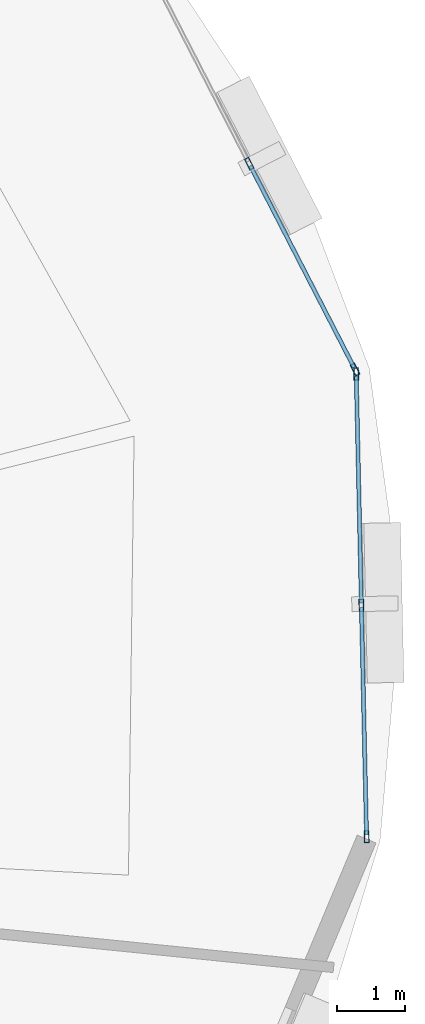
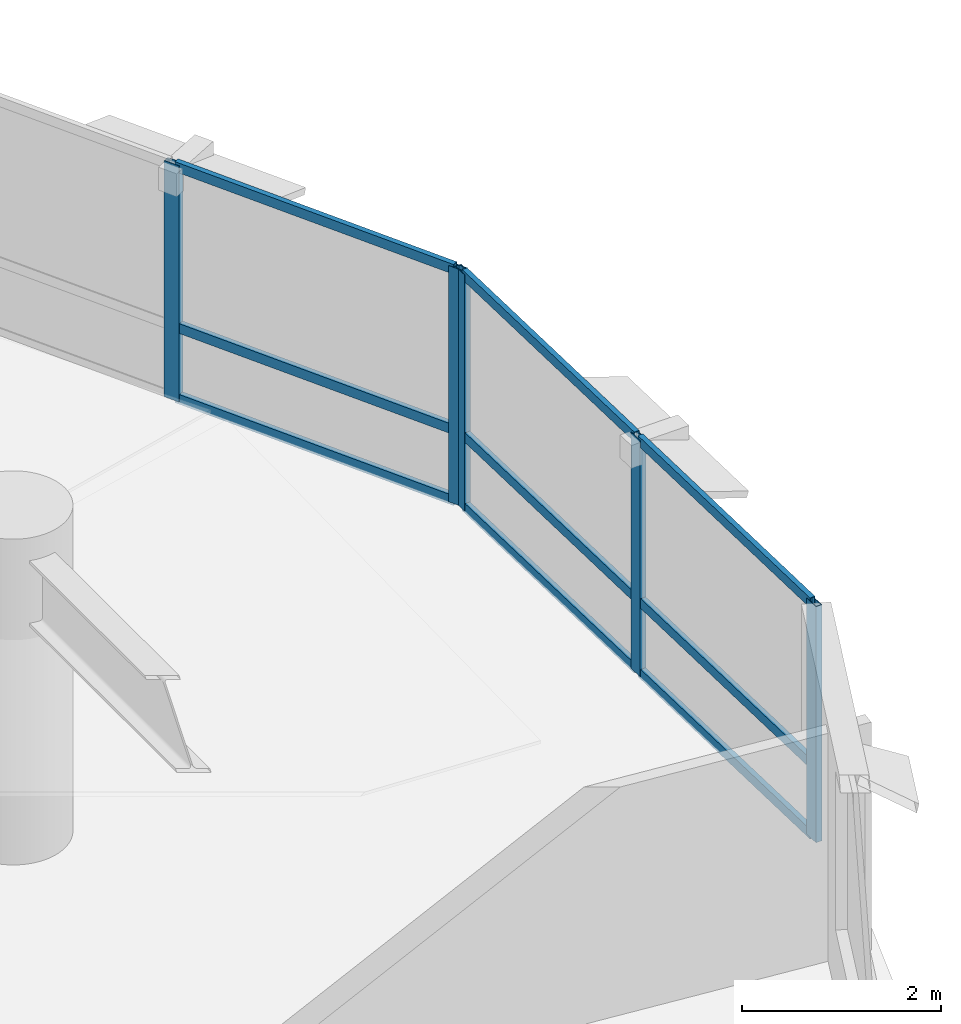
# One storey, part 6 of 15: 14 members, 2 elements without a shape of their own.
"""IFC4 building model written with IfcOpenShell, lengths in metres."""

from ifc_helpers import new_model, si_unit, direction, frame, origin, origin_2d, place, context, subcontext, project, spatial, hollow_rectangle, extrude, material, layer, layer_set, material_profile, profile_set, type_object, element, aggregate, save


model = new_model("IFC4")

# Units and contexts
model_context = context("Model", 3, precision=1e-05, world=origin(), true_north=direction((0.0, 1.0)))
body_context = subcontext(model_context, "Body", "Model", "MODEL_VIEW")
ifc_project = project(units=[si_unit("LENGTHUNIT", "METRE"), si_unit("AREAUNIT", "SQUARE_METRE"), si_unit("VOLUMEUNIT", "CUBIC_METRE"), si_unit("PLANEANGLEUNIT", "RADIAN"), si_unit("MASSUNIT", "GRAM", prefix="KILO"), si_unit("THERMODYNAMICTEMPERATUREUNIT", "KELVIN"), si_unit("POWERUNIT", "WATT")], contexts=[model_context])

# Site, building, storey
site_placement = place(None, origin())
site = spatial("IfcSite", under=ifc_project, at=site_placement, CompositionType="ELEMENT")
building_placement = place(site_placement, origin())
building = spatial("IfcBuilding", under=site, at=building_placement, Name="Ocrelia Relay Tower", CompositionType="ELEMENT")
storey_placement = place(building_placement, frame((0.0, 0.0, 93.800048828125)))
storey = spatial("IfcBuildingStorey", under=building, at=storey_placement, Name="L21", CompositionType="ELEMENT", Elevation=93.800048828125)

# Curtain wall, members
ifc_material_1 = material(Name="Aluminium and solar-control low-E glass", Category="aluminium")
ifc_layer = layer(ifc_material_1, 0.179931640625, Name="Aluminium and solar-control low-E glass")
ifc_layer_set = layer_set([ifc_layer], Name="Aluminium and solar-control low-E glass")
curtain_wall_type = type_object("IfcCurtainWallType", Name="CW-SYS-Z2-SWIT", PredefinedType="NOTDEFINED", material=ifc_layer_set)
curtain_wall_1_placement = place(storey_placement, origin())
curtain_wall_1 = element("IfcCurtainWall", 1, at=curtain_wall_1_placement, inside=storey, type_object=curtain_wall_type, Name="L21 Elliptical Tower Curtain Wall Bay 01", PredefinedType="NOTDEFINED")
ifc_material_2 = material(Name="Anodised bronze aluminium", Category="aluminium")
ifc_material_profile_1 = material_profile(ifc_material_2, hollow_rectangle(XDim=0.070068359375, YDim=0.179931640625, WallThickness=0.006103515625, at=origin_2d()), Name="CW-MUL-180x70")
ifc_profile_set_1 = profile_set([ifc_material_profile_1], Name="Anodised bronze aluminium")
member_type_1 = type_object("IfcMemberType", Name="CW-SYS-Z2-SWIT-MUL", PredefinedType="MULLION", material=ifc_profile_set_1)
member_1_placement = place(storey_placement, frame((58.79638671875, 32.33251953125, 0.0), z_axis=(0.0, 0.0, 1.0), x_axis=(-0.889260604042, -0.457400894292, 0.0)))
member_1 = element("IfcMember", 2, at=member_1_placement, type_object=member_type_1, Name="CW-Z2 mullion 1", PredefinedType="MULLION", context=body_context, shape_type="SweptSolid", body=[
    extrude(hollow_rectangle(XDim=0.070068359375, YDim=0.179931640625, WallThickness=0.006103515625, at=origin_2d()), origin(), (0.0, 0.0, 1.0), 2.89990234375),
])
member_2_placement = place(storey_placement, frame((57.239013671875, 35.360107421875, 0.0), z_axis=(0.0, 0.0, 1.0), x_axis=(-0.889260604042, -0.457400894292, 0.0)))
member_2 = element("IfcMember", 3, at=member_2_placement, type_object=member_type_1, Name="CW-Z2 mullion 2", PredefinedType="MULLION", context=body_context, shape_type="SweptSolid", body=[
    extrude(hollow_rectangle(XDim=0.070068359375, YDim=0.179931640625, WallThickness=0.006103515625, at=origin_2d()), origin(), (0.0, 0.0, 1.0), 2.89990234375),
])

curtain_wall_2_placement = place(storey_placement, origin())
curtain_wall_2 = element("IfcCurtainWall", 4, at=curtain_wall_2_placement, inside=storey, type_object=curtain_wall_type, Name="L21 Elliptical Tower Curtain Wall Bay 18", PredefinedType="NOTDEFINED")
member_3_placement = place(storey_placement, frame((58.96533203125, 25.459228515625, 0.0), z_axis=(0.0, 0.0, 1.0), x_axis=(-0.999750032312, -0.02235783737, 0.0)))
member_3 = element("IfcMember", 5, at=member_3_placement, type_object=member_type_1, Name="CW-Z2 mullion 1", PredefinedType="MULLION", context=body_context, shape_type="SweptSolid", body=[
    extrude(hollow_rectangle(XDim=0.070068359375, YDim=0.179931640625, WallThickness=0.006103515625, at=origin_2d()), origin(), (0.0, 0.0, 1.0), 2.89990234375),
])
member_4_placement = place(storey_placement, frame((58.88916015625, 28.86279296875, 0.0), z_axis=(0.0, 0.0, 1.0), x_axis=(-0.999750032312, -0.02235783737, 0.0)))
member_4 = element("IfcMember", 6, at=member_4_placement, type_object=member_type_1, Name="CW-Z2 mullion 2", PredefinedType="MULLION", context=body_context, shape_type="SweptSolid", body=[
    extrude(hollow_rectangle(XDim=0.070068359375, YDim=0.179931640625, WallThickness=0.006103515625, at=origin_2d()), origin(), (0.0, 0.0, 1.0), 2.89990234375),
])
member_5_placement = place(storey_placement, frame((58.81298828125, 32.2666015625, 0.0), z_axis=(0.0, 0.0, 1.0), x_axis=(-0.999750032312, -0.02235783737, 0.0)))
member_5 = element("IfcMember", 7, at=member_5_placement, type_object=member_type_1, Name="CW-Z2 mullion 3", PredefinedType="MULLION", context=body_context, shape_type="SweptSolid", body=[
    extrude(hollow_rectangle(XDim=0.070068359375, YDim=0.179931640625, WallThickness=0.006103515625, at=origin_2d()), origin(), (0.0, 0.0, 1.0), 2.89990234375),
])

# Member
ifc_material_profile_2 = material_profile(ifc_material_2, hollow_rectangle(XDim=0.06005859375, YDim=0.1201171875, WallThickness=0.0048828125, at=origin_2d()), Name="CW-TRN-120x60")
ifc_profile_set_2 = profile_set([ifc_material_profile_2], Name="Anodised bronze aluminium")
member_type_2 = type_object("IfcMemberType", Name="CW-SYS-Z2-SWIT-TRN", PredefinedType="USERDEFINED", material=ifc_profile_set_2)
member_6_placement = place(storey_placement, frame((58.7802734375, 32.36376953125, 0.030029296875), z_axis=(-0.457376135774, 0.88927333842, 0.0), x_axis=(-0.88927333842, -0.457376135774, 0.0)))
member_6 = element("IfcMember", 8, at=member_6_placement, type_object=member_type_2, Name="CW-Z2 transom 1.1", ObjectType="TRANSOM", PredefinedType="USERDEFINED", context=body_context, shape_type="SweptSolid", body=[
    extrude(hollow_rectangle(XDim=0.06005859375, YDim=0.1201171875, WallThickness=0.0048828125, at=origin_2d()), origin(), (0.0, 0.0, 1.0), 3.33447265625),
])

member_7_placement = place(storey_placement, frame((58.7802734375, 32.36376953125, 0.89990234375), z_axis=(-0.457376135774, 0.88927333842, 0.0), x_axis=(-0.88927333842, -0.457376135774, 0.0)))
member_7 = element("IfcMember", 9, at=member_7_placement, type_object=member_type_2, Name="CW-Z2 transom 1.2", ObjectType="TRANSOM", PredefinedType="USERDEFINED", context=body_context, shape_type="SweptSolid", body=[
    extrude(hollow_rectangle(XDim=0.06005859375, YDim=0.1201171875, WallThickness=0.0048828125, at=origin_2d()), origin(), (0.0, 0.0, 1.0), 3.33447265625),
])

member_8_placement = place(storey_placement, frame((58.7802734375, 32.36376953125, 2.869873046875), z_axis=(-0.457376135774, 0.88927333842, 0.0), x_axis=(-0.88927333842, -0.457376135774, 0.0)))
member_8 = element("IfcMember", 10, at=member_8_placement, type_object=member_type_2, Name="CW-Z2 transom 1.3", ObjectType="TRANSOM", PredefinedType="USERDEFINED", context=body_context, shape_type="SweptSolid", body=[
    extrude(hollow_rectangle(XDim=0.06005859375, YDim=0.1201171875, WallThickness=0.0048828125, at=origin_2d()), origin(), (0.0, 0.0, 1.0), 3.33447265625),
])

aggregate(curtain_wall_1, [member_1, member_2, member_6, member_7, member_8])

member_9_placement = place(storey_placement, frame((58.964599609375, 25.494140625, 0.030029296875), z_axis=(-0.022403749204, 0.999749004511, 0.0), x_axis=(-0.999749004511, -0.022403749204, 0.0)))
member_9 = element("IfcMember", 11, at=member_9_placement, type_object=member_type_2, Name="CW-Z2 transom 1.1", ObjectType="TRANSOM", PredefinedType="USERDEFINED", context=body_context, shape_type="SweptSolid", body=[
    extrude(hollow_rectangle(XDim=0.06005859375, YDim=0.1201171875, WallThickness=0.0048828125, at=origin_2d()), origin(), (0.0, 0.0, 1.0), 3.33447265625),
])

member_10_placement = place(storey_placement, frame((58.964599609375, 25.494140625, 0.89990234375), z_axis=(-0.022403749204, 0.999749004511, 0.0), x_axis=(-0.999749004511, -0.022403749204, 0.0)))
member_10 = element("IfcMember", 12, at=member_10_placement, type_object=member_type_2, Name="CW-Z2 transom 1.2", ObjectType="TRANSOM", PredefinedType="USERDEFINED", context=body_context, shape_type="SweptSolid", body=[
    extrude(hollow_rectangle(XDim=0.06005859375, YDim=0.1201171875, WallThickness=0.0048828125, at=origin_2d()), origin(), (0.0, 0.0, 1.0), 3.33447265625),
])

member_11_placement = place(storey_placement, frame((58.964599609375, 25.494140625, 2.869873046875), z_axis=(-0.022403749204, 0.999749004511, 0.0), x_axis=(-0.999749004511, -0.022403749204, 0.0)))
member_11 = element("IfcMember", 13, at=member_11_placement, type_object=member_type_2, Name="CW-Z2 transom 1.3", ObjectType="TRANSOM", PredefinedType="USERDEFINED", context=body_context, shape_type="SweptSolid", body=[
    extrude(hollow_rectangle(XDim=0.06005859375, YDim=0.1201171875, WallThickness=0.0048828125, at=origin_2d()), origin(), (0.0, 0.0, 1.0), 3.33447265625),
])

member_12_placement = place(storey_placement, frame((58.888427734375, 28.89794921875, 0.030029296875), z_axis=(-0.02233220555, 0.999750605199, 0.0), x_axis=(-0.999750605199, -0.02233220555, 0.0)))
member_12 = element("IfcMember", 14, at=member_12_placement, type_object=member_type_2, Name="CW-Z2 transom 2.1", ObjectType="TRANSOM", PredefinedType="USERDEFINED", context=body_context, shape_type="SweptSolid", body=[
    extrude(hollow_rectangle(XDim=0.06005859375, YDim=0.1201171875, WallThickness=0.0048828125, at=origin_2d()), origin(), (0.0, 0.0, 1.0), 3.334228515625),
])

member_13_placement = place(storey_placement, frame((58.888427734375, 28.89794921875, 0.89990234375), z_axis=(-0.02233220555, 0.999750605199, 0.0), x_axis=(-0.999750605199, -0.02233220555, 0.0)))
member_13 = element("IfcMember", 15, at=member_13_placement, type_object=member_type_2, Name="CW-Z2 transom 2.2", ObjectType="TRANSOM", PredefinedType="USERDEFINED", context=body_context, shape_type="SweptSolid", body=[
    extrude(hollow_rectangle(XDim=0.06005859375, YDim=0.1201171875, WallThickness=0.0048828125, at=origin_2d()), origin(), (0.0, 0.0, 1.0), 3.334228515625),
])

member_14_placement = place(storey_placement, frame((58.888427734375, 28.89794921875, 2.869873046875), z_axis=(-0.02233220555, 0.999750605199, 0.0), x_axis=(-0.999750605199, -0.02233220555, 0.0)))
member_14 = element("IfcMember", 16, at=member_14_placement, type_object=member_type_2, Name="CW-Z2 transom 2.3", ObjectType="TRANSOM", PredefinedType="USERDEFINED", context=body_context, shape_type="SweptSolid", body=[
    extrude(hollow_rectangle(XDim=0.06005859375, YDim=0.1201171875, WallThickness=0.0048828125, at=origin_2d()), origin(), (0.0, 0.0, 1.0), 3.334228515625),
])

aggregate(curtain_wall_2, [member_3, member_4, member_5, member_9, member_10, member_11, member_12, member_13, member_14])

save(model, "model.ifc")
